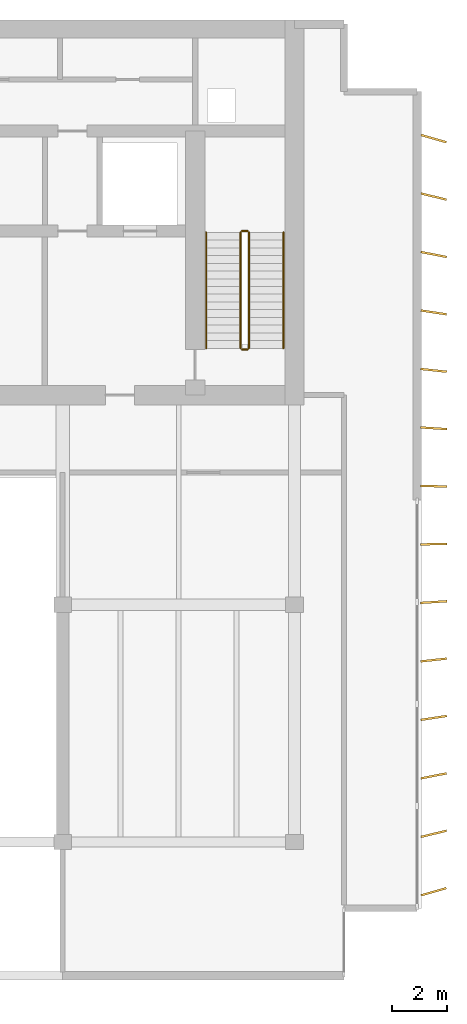
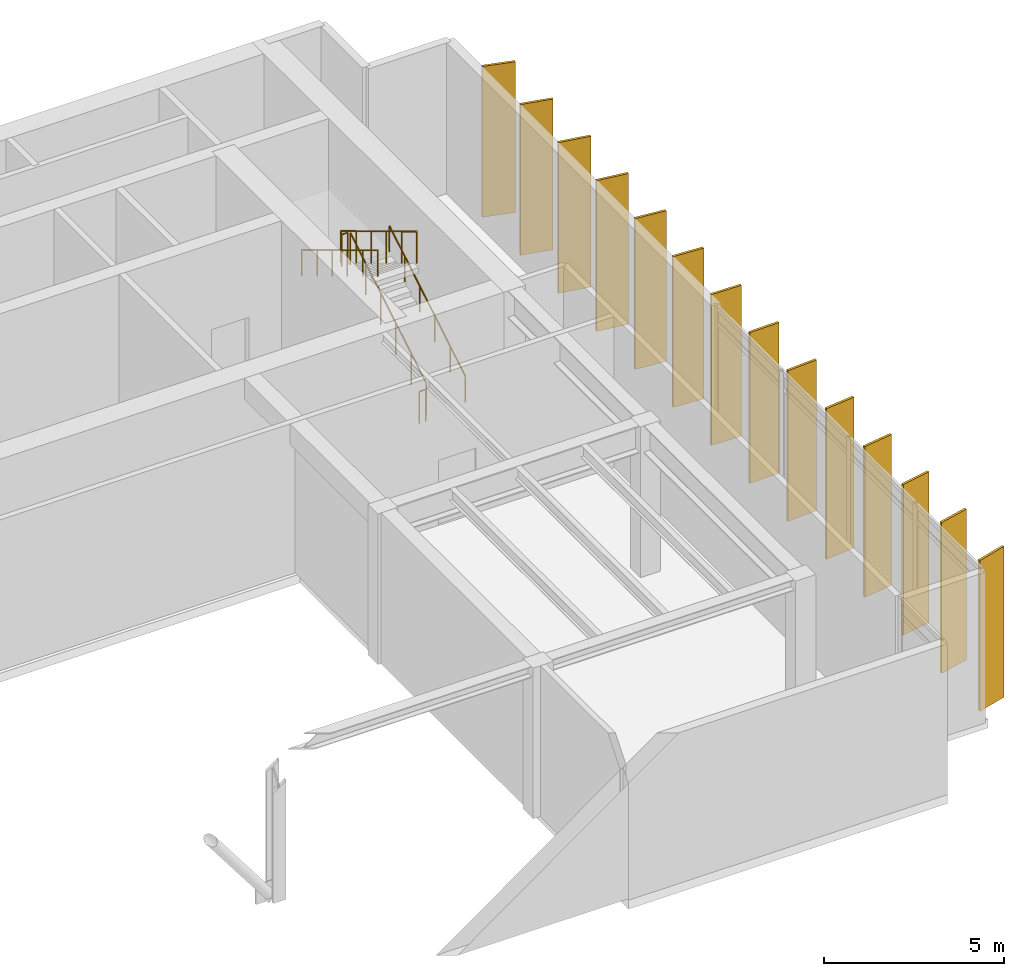
# One storey, part 9 of 9: 14 shading devices, 6 railings.
"""IFC4 building model written with IfcOpenShell, lengths in metres."""

from ifc_helpers import new_model, si_unit, direction, frame, origin, origin_2d, place, context, subcontext, project, spatial, rectangle, circle, extrude, material, material_profile, profile_set, type_object, element, save


model = new_model("IFC4")

# Units and contexts
model_context = context("Model", 3, precision=1e-05, world=origin(), true_north=direction((0.0, 1.0)))
body_context = subcontext(model_context, "Body", "Model", "MODEL_VIEW")
ifc_project = project(units=[si_unit("LENGTHUNIT", "METRE"), si_unit("AREAUNIT", "SQUARE_METRE"), si_unit("VOLUMEUNIT", "CUBIC_METRE"), si_unit("PLANEANGLEUNIT", "RADIAN"), si_unit("MASSUNIT", "GRAM", prefix="KILO")], contexts=[model_context])

# Site, building, storey
site_placement = place(None, origin())
site = spatial("IfcSite", under=ifc_project, at=site_placement, CompositionType="ELEMENT")
building_placement = place(site_placement, origin())
building = spatial("IfcBuilding", under=site, at=building_placement, Name="Caelmar Bay Residences", CompositionType="ELEMENT")
storey_placement = place(building_placement, frame((0.0, 0.0, 290.199951171875)))
storey = spatial("IfcBuildingStorey", under=building, at=storey_placement, Name="L80", CompositionType="ELEMENT", Elevation=290.199951171875)

# Railings
ifc_material_1 = material(Name="Painted galvanized steel stair guard 1100 mm", Category="steel")
railing_type_1 = type_object("IfcRailingType", Name="RL-GRD-1100", PredefinedType="GUARDRAIL", material=ifc_material_1)
railing_1_placement = place(storey_placement, frame((57.85009765625, 38.699951171875, 0.168701171875)))
element("IfcRailing", 1, at=railing_1_placement, inside=storey, type_object=railing_type_1, Name="L80 ST2 stair guard 1", PredefinedType="GUARDRAIL", context=body_context, shape_type="SweptSolid", body=[
    extrude(circle(Radius=0.02392578125, at=origin_2d()), frame((0.0, 0.0, 1.076171875), z_axis=(0.0, 0.856476492594, 0.516186030065), x_axis=(-1.0, 0.0, 0.0)), (0.0, 0.0, 1.0), 4.90380859375),
    extrude(circle(Radius=0.02099609375, at=origin_2d()), origin(), (0.0, 0.0, 1.0), 1.052001953125),
    extrude(circle(Radius=0.02099609375, at=origin_2d()), frame((0.0, 0.840087890625, 0.50634765625)), (0.0, 0.0, 1.0), 1.052001953125),
    extrude(circle(Radius=0.02099609375, at=origin_2d()), frame((0.0, 1.679931640625, 1.012451171875)), (0.0, 0.0, 1.0), 1.052001953125),
    extrude(circle(Radius=0.02099609375, at=origin_2d()), frame((0.0, 2.52001953125, 1.518798828125)), (0.0, 0.0, 1.0), 1.052001953125),
    extrude(circle(Radius=0.02099609375, at=origin_2d()), frame((0.0, 3.35986328125, 2.02490234375)), (0.0, 0.0, 1.0), 1.052001953125),
    extrude(circle(Radius=0.02099609375, at=origin_2d()), frame((0.0, 4.199951171875, 2.53125)), (0.0, 0.0, 1.0), 1.052001953125),
])
railing_2_placement = place(storey_placement, frame((57.800048828125, 42.949951171875, 2.699951171875)))
element("IfcRailing", 2, at=railing_2_placement, inside=storey, type_object=railing_type_1, Name="L80 ST2 stair guard 2", PredefinedType="GUARDRAIL", context=body_context, shape_type="SweptSolid", body=[
    extrude(circle(Radius=0.02392578125, at=origin_2d()), frame((0.0, 0.0, 1.076171875), z_axis=(-1.0, 0.0, 0.0), x_axis=(0.0, -1.0, 0.0)), (0.0, 0.0, 1.0), 0.199951171875),
    extrude(circle(Radius=0.02099609375, at=origin_2d()), origin(), (0.0, 0.0, 1.0), 1.052001953125),
    extrude(circle(Radius=0.02099609375, at=origin_2d()), frame((-0.199951171875, 0.0, 0.0)), (0.0, 0.0, 1.0), 1.052001953125),
])
railing_3_placement = place(storey_placement, frame((57.550048828125, 42.89990234375, 2.868896484375)))
element("IfcRailing", 3, at=railing_3_placement, inside=storey, type_object=railing_type_1, Name="L80 ST2 stair guard 3", PredefinedType="GUARDRAIL", context=body_context, shape_type="SweptSolid", body=[
    extrude(circle(Radius=0.02392578125, at=origin_2d()), frame((0.0, 0.0, 1.076171875), z_axis=(0.0, -0.856476492594, 0.516186030065), x_axis=(1.0, 0.0, 0.0)), (0.0, 0.0, 1.0), 4.90380859375),
    extrude(circle(Radius=0.02099609375, at=origin_2d()), origin(), (0.0, 0.0, 1.0), 1.052001953125),
    extrude(circle(Radius=0.02099609375, at=origin_2d()), frame((0.0, -0.840087890625, 0.50634765625)), (0.0, 0.0, 1.0), 1.052001953125),
    extrude(circle(Radius=0.02099609375, at=origin_2d()), frame((0.0, -1.679931640625, 1.012451171875)), (0.0, 0.0, 1.0), 1.052001953125),
    extrude(circle(Radius=0.02099609375, at=origin_2d()), frame((0.0, -2.52001953125, 1.518798828125)), (0.0, 0.0, 1.0), 1.052001953125),
    extrude(circle(Radius=0.02099609375, at=origin_2d()), frame((0.0, -3.35986328125, 2.02490234375)), (0.0, 0.0, 1.0), 1.052001953125),
    extrude(circle(Radius=0.02099609375, at=origin_2d()), frame((0.0, -4.199951171875, 2.53125)), (0.0, 0.0, 1.0), 1.052001953125),
])
railing_4_placement = place(storey_placement, frame((57.800048828125, 38.64990234375, 0.0)))
element("IfcRailing", 4, at=railing_4_placement, inside=storey, type_object=railing_type_1, Name="L80 ST2 stair guard 4", PredefinedType="GUARDRAIL", context=body_context, shape_type="SweptSolid", body=[
    extrude(circle(Radius=0.02392578125, at=origin_2d()), frame((0.0, 0.0, 1.076171875), z_axis=(-1.0, 0.0, 0.0), x_axis=(0.0, -1.0, 0.0)), (0.0, 0.0, 1.0), 0.199951171875),
    extrude(circle(Radius=0.02099609375, at=origin_2d()), origin(), (0.0, 0.0, 1.0), 1.052001953125),
    extrude(circle(Radius=0.02099609375, at=origin_2d()), frame((-0.199951171875, 0.0, 0.0)), (0.0, 0.0, 1.0), 1.052001953125),
])
ifc_material_2 = material(Name="Brushed bronze stainless-steel tubular handrail 900 mm", Category="steel")
railing_type_2 = type_object("IfcRailingType", Name="RL-HND-900", PredefinedType="HANDRAIL", material=ifc_material_2)
railing_5_placement = place(storey_placement, frame((59.10009765625, 38.699951171875, 0.168701171875)))
element("IfcRailing", 5, at=railing_5_placement, inside=storey, type_object=railing_type_2, Name="L80 ST2 stair handrail 1", PredefinedType="HANDRAIL", context=body_context, shape_type="SweptSolid", body=[
    extrude(circle(Radius=0.02392578125, at=origin_2d()), frame((0.0, 0.0, 0.8759765625), z_axis=(0.0, 0.856476492594, 0.516186030065), x_axis=(-1.0, 0.0, 0.0)), (0.0, 0.0, 1.0), 4.90380859375),
    extrude(circle(Radius=0.02099609375, at=origin_2d()), origin(), (0.0, 0.0, 1.0), 0.851806640625),
    extrude(circle(Radius=0.02099609375, at=origin_2d()), frame((0.0, 0.840087890625, 0.50634765625)), (0.0, 0.0, 1.0), 0.851806640625),
    extrude(circle(Radius=0.02099609375, at=origin_2d()), frame((0.0, 1.679931640625, 1.012451171875)), (0.0, 0.0, 1.0), 0.851806640625),
    extrude(circle(Radius=0.02099609375, at=origin_2d()), frame((0.0, 2.52001953125, 1.518798828125)), (0.0, 0.0, 1.0), 0.851806640625),
    extrude(circle(Radius=0.02099609375, at=origin_2d()), frame((0.0, 3.35986328125, 2.02490234375)), (0.0, 0.0, 1.0), 0.851806640625),
    extrude(circle(Radius=0.02099609375, at=origin_2d()), frame((0.0, 4.199951171875, 2.53125)), (0.0, 0.0, 1.0), 0.851806640625),
])
railing_6_placement = place(storey_placement, frame((56.300048828125, 42.89990234375, 2.868896484375)))
element("IfcRailing", 6, at=railing_6_placement, inside=storey, type_object=railing_type_2, Name="L80 ST2 stair handrail 2", PredefinedType="HANDRAIL", context=body_context, shape_type="SweptSolid", body=[
    extrude(circle(Radius=0.02392578125, at=origin_2d()), frame((0.0, 0.0, 0.8759765625), z_axis=(0.0, -0.856476492594, 0.516186030065), x_axis=(1.0, 0.0, 0.0)), (0.0, 0.0, 1.0), 4.90380859375),
    extrude(circle(Radius=0.02099609375, at=origin_2d()), origin(), (0.0, 0.0, 1.0), 0.851806640625),
    extrude(circle(Radius=0.02099609375, at=origin_2d()), frame((0.0, -0.840087890625, 0.50634765625)), (0.0, 0.0, 1.0), 0.851806640625),
    extrude(circle(Radius=0.02099609375, at=origin_2d()), frame((0.0, -1.679931640625, 1.012451171875)), (0.0, 0.0, 1.0), 0.851806640625),
    extrude(circle(Radius=0.02099609375, at=origin_2d()), frame((0.0, -2.52001953125, 1.518798828125)), (0.0, 0.0, 1.0), 0.851806640625),
    extrude(circle(Radius=0.02099609375, at=origin_2d()), frame((0.0, -3.35986328125, 2.02490234375)), (0.0, 0.0, 1.0), 0.851806640625),
    extrude(circle(Radius=0.02099609375, at=origin_2d()), frame((0.0, -4.199951171875, 2.53125)), (0.0, 0.0, 1.0), 0.851806640625),
])

# Shading devices
ifc_material_3 = material(Name="Anodised architectural bronze aluminium 6063-T6", Category="aluminium")
ifc_material_profile = material_profile(ifc_material_3, rectangle(XDim=0.074951171875, YDim=0.949951171875, at=origin_2d()), Name="BRONZE-FIN-75X950")
ifc_profile_set = profile_set([ifc_material_profile], Name="Anodised architectural bronze aluminium 6063-T6")
shading_device_type = type_object("IfcShadingDeviceType", Name="SHD-FIN-950", PredefinedType="USERDEFINED", material=ifc_profile_set)
for number, where, z_axis, x_axis, name in (
    (7, (64.550048828125, 19.0, 0.0), (0.0, 0.0, 1.0), (-0.275637355817, 0.961261695938, 0.0), "L80 East Bronze Solar Fin 1"),
    (8, (64.550048828125, 21.10009765625, 0.0), (0.0, 0.0, 1.0), (-0.234124149178, 0.972206707841, 0.0), "L80 East Bronze Solar Fin 2"),
    (9, (64.550048828125, 23.199951171875, 0.0), (0.0, 0.0, 1.0), (-0.192179419046, 0.981359807051, 0.0), "L80 East Bronze Solar Fin 3"),
    (10, (64.550048828125, 25.300048828125, 0.0), (0.0, 0.0, 1.0), (-0.149880475413, 0.988704123128, 0.0), "L80 East Bronze Solar Fin 4"),
    (11, (64.550048828125, 27.39990234375, 0.0), (0.0, 0.0, 1.0), (-0.107131754314, 0.994244832633, 0.0), "L80 East Bronze Solar Fin 5"),
    (12, (64.550048828125, 29.5, 0.0), (0.0, 0.0, 1.0), (-0.064358138139, 0.997926866086, 0.0), "L80 East Bronze Solar Fin 6"),
    (13, (64.550048828125, 31.60009765625, 0.0), (0.0, 0.0, 1.0), (-0.02146590093, 0.999769581002, 0.0), "L80 East Bronze Solar Fin 7"),
    (14, (64.550048828125, 33.699951171875, 0.0), (0.0, 0.0, 1.0), (0.02146590093, 0.999769581002, 0.0), "L80 East Bronze Solar Fin 8"),
    (15, (64.550048828125, 35.800048828125, 0.0), (0.0, 0.0, 1.0), (0.064358138139, 0.997926866086, 0.0), "L80 East Bronze Solar Fin 9"),
    (16, (64.550048828125, 37.89990234375, 0.0), (0.0, 0.0, 1.0), (0.107131754314, 0.994244832633, 0.0), "L80 East Bronze Solar Fin 10"),
    (17, (64.550048828125, 40.0, 0.0), (0.0, 0.0, 1.0), (0.149880475413, 0.988704123128, 0.0), "L80 East Bronze Solar Fin 11"),
    (18, (64.550048828125, 42.10009765625, 0.0), (0.0, 0.0, 1.0), (0.192179419046, 0.981359807051, 0.0), "L80 East Bronze Solar Fin 12"),
    (19, (64.550048828125, 44.199951171875, 0.0), (0.0, 0.0, 1.0), (0.234124149178, 0.972206707841, 0.0), "L80 East Bronze Solar Fin 13"),
    (20, (64.550048828125, 46.300048828125, 0.0), (0.0, 0.0, 1.0), (0.275637355817, 0.961261695938, 0.0), "L80 East Bronze Solar Fin 14"),
):
    element("IfcShadingDevice", number, at=place(storey_placement, frame(where, z_axis=z_axis, x_axis=x_axis)), inside=storey, type_object=shading_device_type, Name=name, ObjectType="FIN", PredefinedType="USERDEFINED", context=body_context, shape_type="SweptSolid", body=[
        extrude(rectangle(XDim=0.074951171875, YDim=0.949951171875, at=origin_2d()), origin(), (0.0, 0.0, 1.0), 5.10009765625),
    ])

save(model, "model.ifc")
